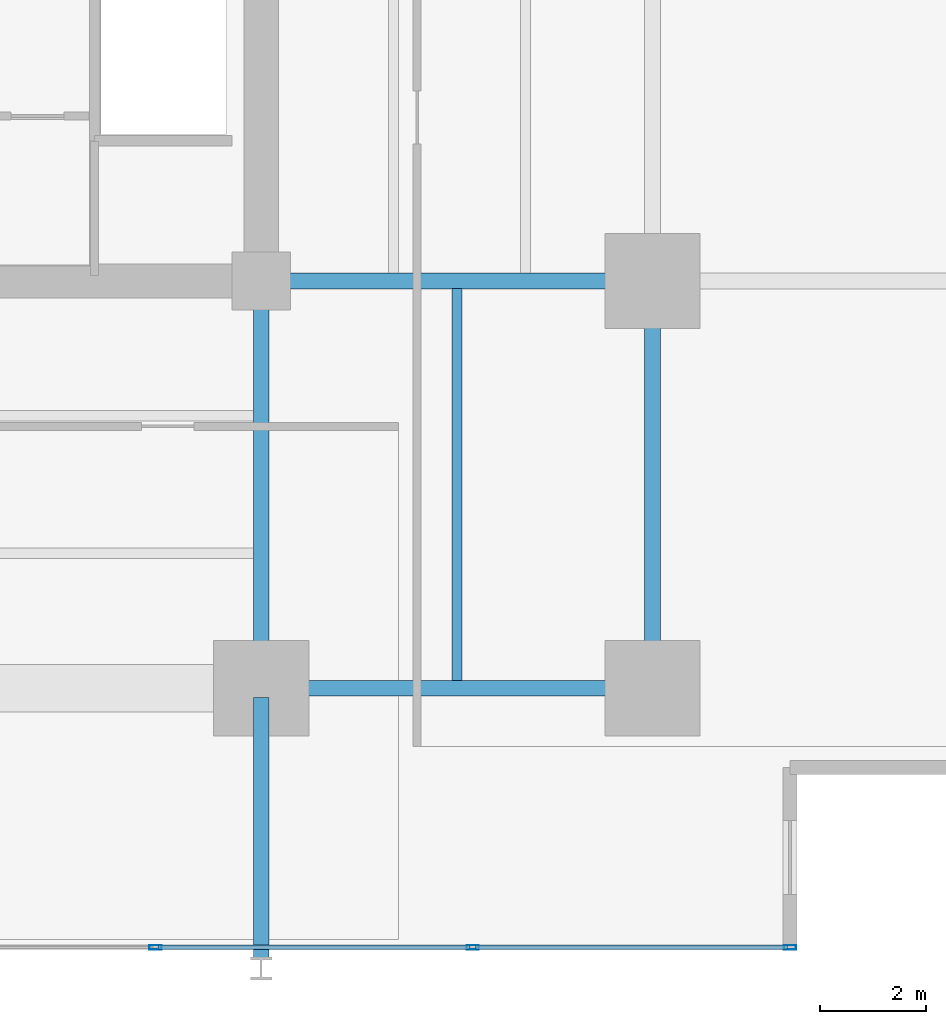
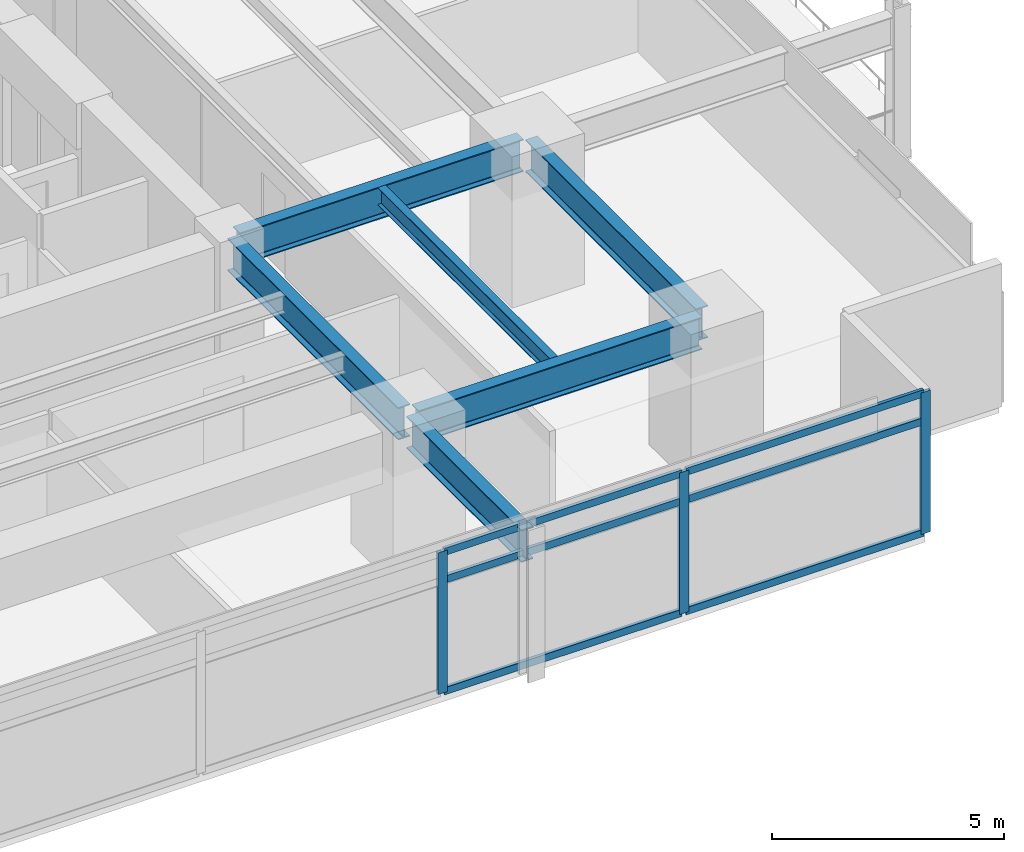
# One storey, part 6 of 21: 9 members, 6 beams, 1 element without a shape of its own.
"""IFC4 building model written with IfcOpenShell, lengths in metres."""

from ifc_helpers import new_model, si_unit, direction, frame, origin, origin_2d, place, context, subcontext, project, spatial, hollow_rectangle, i_section, extrude, material, material_profile, profile_set, type_object, element, aggregate, save


model = new_model("IFC4")

# Units and contexts
model_context = context("Model", 3, precision=1e-05, world=origin(), true_north=direction((0.0, 1.0)))
body_context = subcontext(model_context, "Body", "Model", "MODEL_VIEW")
ifc_project = project(units=[si_unit("LENGTHUNIT", "METRE"), si_unit("AREAUNIT", "SQUARE_METRE"), si_unit("VOLUMEUNIT", "CUBIC_METRE"), si_unit("PLANEANGLEUNIT", "RADIAN"), si_unit("MASSUNIT", "GRAM", prefix="KILO")], contexts=[model_context])

# Site, building, storey
site_placement = place(None, origin())
site = spatial("IfcSite", under=ifc_project, at=site_placement, CompositionType="ELEMENT")
building_placement = place(site_placement, origin())
building = spatial("IfcBuilding", under=site, at=building_placement, Name="Kovane Verandah Tower", CompositionType="ELEMENT")
storey_placement = place(building_placement, frame((0.0, 0.0, 27.60009765625)))
storey = spatial("IfcBuildingStorey", under=building, at=storey_placement, Name="L05", CompositionType="ELEMENT", Elevation=27.60009765625)

# Beams
ifc_material_1 = material(Name="Steel S355", Category="steel")
ifc_material_profile_1 = material_profile(ifc_material_1, i_section(OverallWidth=0.293701171875, OverallDepth=0.850830078125, WebThickness=0.01611328125, FlangeThickness=0.02685546875, FilletRadius=0.017822265625, at=origin_2d()), Name="UB838x292x226")
ifc_profile_set_1 = profile_set([ifc_material_profile_1], Name="Steel S355")
beam_type_1 = type_object("IfcBeamType", Name="BM-UB838x226", PredefinedType="BEAM", material=ifc_profile_set_1)
beam_1_placement = place(storey_placement, frame((51.179931640625, 10.800048828125, 3.33447265625), z_axis=(1.0, 0.0, 0.0), x_axis=(0.0, 1.0, 0.0)))
element("IfcBeam", 1, at=beam_1_placement, inside=storey, type_object=beam_type_1, Name="L05 Primary Tower Girder G-RS3", PredefinedType="BEAM", context=body_context, shape_type="SweptSolid", body=[
    extrude(i_section(OverallWidth=0.293701171875, OverallDepth=0.850830078125, WebThickness=0.01611328125, FlangeThickness=0.02685546875, FilletRadius=0.017822265625, at=origin_2d()), origin(), (0.0, 0.0, 1.0), 7.0400390625),
])
beam_2_placement = place(storey_placement, frame((58.39990234375, 10.97998046875, 3.33447265625), z_axis=(0.0, 1.0, 0.0), x_axis=(-1.0, 0.0, 0.0)))
element("IfcBeam", 2, at=beam_2_placement, inside=storey, type_object=beam_type_1, Name="L05 Primary Tower Girder G-RE1", PredefinedType="BEAM", context=body_context, shape_type="SweptSolid", body=[
    extrude(i_section(OverallWidth=0.293701171875, OverallDepth=0.850830078125, WebThickness=0.01611328125, FlangeThickness=0.02685546875, FilletRadius=0.017822265625, at=origin_2d()), origin(), (0.0, 0.0, 1.0), 7.340087890625),
])
beam_3_placement = place(storey_placement, frame((51.179931640625, 18.5, 3.33447265625), z_axis=(1.0, 0.0, 0.0), x_axis=(0.0, 1.0, 0.0)))
element("IfcBeam", 3, at=beam_3_placement, inside=storey, type_object=beam_type_1, Name="L05 Primary Tower Girder G-E1", PredefinedType="BEAM", context=body_context, shape_type="SweptSolid", body=[
    extrude(i_section(OverallWidth=0.293701171875, OverallDepth=0.850830078125, WebThickness=0.01611328125, FlangeThickness=0.02685546875, FilletRadius=0.017822265625, at=origin_2d()), origin(), (0.0, 0.0, 1.0), 7.0400390625),
])
beam_4_placement = place(storey_placement, frame((51.0, 18.320068359375, 3.33447265625), z_axis=(0.0, -1.0, 0.0), x_axis=(1.0, 0.0, 0.0)))
element("IfcBeam", 4, at=beam_4_placement, inside=storey, type_object=beam_type_1, Name="L05 Primary Tower Girder G-S2", PredefinedType="BEAM", context=body_context, shape_type="SweptSolid", body=[
    extrude(i_section(OverallWidth=0.293701171875, OverallDepth=0.850830078125, WebThickness=0.01611328125, FlangeThickness=0.02685546875, FilletRadius=0.017822265625, at=origin_2d()), origin(), (0.0, 0.0, 1.0), 7.340087890625),
])
beam_5_placement = place(storey_placement, frame((51.0, 10.6201171875, 3.33447265625), z_axis=(0.0, -1.0, 0.0), x_axis=(1.0, 0.0, 0.0)))
element("IfcBeam", 5, at=beam_5_placement, inside=storey, type_object=beam_type_1, Name="L05 Primary Tower Girder G-VS2", PredefinedType="BEAM", context=body_context, shape_type="SweptSolid", body=[
    extrude(i_section(OverallWidth=0.293701171875, OverallDepth=0.850830078125, WebThickness=0.01611328125, FlangeThickness=0.02685546875, FilletRadius=0.017822265625, at=origin_2d()), origin(), (0.0, 0.0, 1.0), 4.940185546875),
])

# Curtain wall, members
ifc_material_2 = material(Name="Champagne Anodised Aluminium Frame with Low-E Clear Laminated Glass", Category="aluminium")
curtain_wall_type = type_object("IfcCurtainWallType", Name="CW-SYS-02-LOW", PredefinedType="NOTDEFINED", material=ifc_material_2)
curtain_wall_placement = place(storey_placement, origin())
curtain_wall = element("IfcCurtainWall", 6, at=curtain_wall_placement, inside=storey, type_object=curtain_wall_type, Name="L05 S Unitised Curtain Wall", PredefinedType="NOTDEFINED")
ifc_material_3 = material(Name="Champagne Anodised Aluminium 6063-T6", Category="aluminium")
ifc_material_profile_2 = material_profile(ifc_material_3, hollow_rectangle(XDim=0.0849609375, YDim=0.22998046875, WallThickness=0.00390625, at=origin_2d()), Name="AL85x230x4")
ifc_profile_set_2 = profile_set([ifc_material_profile_2], Name="Champagne Anodised Aluminium 6063-T6")
member_type_1 = type_object("IfcMemberType", Name="CW-MUL-85x230", PredefinedType="MULLION", material=ifc_profile_set_2)
member_1_placement = place(storey_placement, frame((49.0, 5.89990234375, 0.02001953125), z_axis=(0.0, 0.0, 1.0), x_axis=(0.0, -1.0, 0.0)))
member_1 = element("IfcMember", 7, at=member_1_placement, type_object=member_type_1, Name="L05 S Unitised Curtain Wall Mullion 6", PredefinedType="MULLION", context=body_context, shape_type="SweptSolid", body=[
    extrude(hollow_rectangle(XDim=0.0849609375, YDim=0.22998046875, WallThickness=0.00390625, at=origin_2d()), origin(), (0.0, 0.0, 1.0), 3.719970703125),
])
member_2_placement = place(storey_placement, frame((55.0, 5.89990234375, 0.02001953125), z_axis=(0.0, 0.0, 1.0), x_axis=(0.0, -1.0, 0.0)))
member_2 = element("IfcMember", 8, at=member_2_placement, type_object=member_type_1, Name="L05 S Unitised Curtain Wall Mullion 7", PredefinedType="MULLION", context=body_context, shape_type="SweptSolid", body=[
    extrude(hollow_rectangle(XDim=0.0849609375, YDim=0.22998046875, WallThickness=0.00390625, at=origin_2d()), origin(), (0.0, 0.0, 1.0), 3.719970703125),
])
member_3_placement = place(storey_placement, frame((61.0, 5.89990234375, 0.02001953125), z_axis=(0.0, 0.0, 1.0), x_axis=(0.0, -1.0, 0.0)))
member_3 = element("IfcMember", 9, at=member_3_placement, type_object=member_type_1, Name="L05 S Unitised Curtain Wall Mullion 8", PredefinedType="MULLION", context=body_context, shape_type="SweptSolid", body=[
    extrude(hollow_rectangle(XDim=0.0849609375, YDim=0.22998046875, WallThickness=0.00390625, at=origin_2d()), origin(), (0.0, 0.0, 1.0), 3.719970703125),
])
ifc_material_profile_3 = material_profile(ifc_material_3, hollow_rectangle(XDim=0.0849609375, YDim=0.18994140625, WallThickness=0.00390625, at=origin_2d()), Name="AL85x190x4")
ifc_profile_set_3 = profile_set([ifc_material_profile_3], Name="Champagne Anodised Aluminium 6063-T6")
member_type_2 = type_object("IfcMemberType", Name="CW-TRN-85x190", PredefinedType="USERDEFINED", material=ifc_profile_set_3)
member_4_placement = place(storey_placement, frame((49.050048828125, 5.89990234375, 0.0498046875), z_axis=(1.0, 0.0, 0.0), x_axis=(0.0, 1.0, 0.0)))
member_4 = element("IfcMember", 10, at=member_4_placement, type_object=member_type_2, Name="L05 S Unitised Curtain Wall Transom TB Bay 6", ObjectType="TRANSOM", PredefinedType="USERDEFINED", context=body_context, shape_type="SweptSolid", body=[
    extrude(hollow_rectangle(XDim=0.0849609375, YDim=0.18994140625, WallThickness=0.00390625, at=origin_2d()), origin(), (0.0, 0.0, 1.0), 5.89990234375),
])
member_5_placement = place(storey_placement, frame((49.050048828125, 5.89990234375, 2.97998046875), z_axis=(1.0, 0.0, 0.0), x_axis=(0.0, 1.0, 0.0)))
member_5 = element("IfcMember", 11, at=member_5_placement, type_object=member_type_2, Name="L05 S Unitised Curtain Wall Transom TM Bay 6", ObjectType="TRANSOM", PredefinedType="USERDEFINED", context=body_context, shape_type="SweptSolid", body=[
    extrude(hollow_rectangle(XDim=0.0849609375, YDim=0.18994140625, WallThickness=0.00390625, at=origin_2d()), origin(), (0.0, 0.0, 1.0), 5.89990234375),
])
member_6_placement = place(storey_placement, frame((49.050048828125, 5.89990234375, 3.7099609375), z_axis=(1.0, 0.0, 0.0), x_axis=(0.0, 1.0, 0.0)))
member_6 = element("IfcMember", 12, at=member_6_placement, type_object=member_type_2, Name="L05 S Unitised Curtain Wall Transom TT Bay 6", ObjectType="TRANSOM", PredefinedType="USERDEFINED", context=body_context, shape_type="SweptSolid", body=[
    extrude(hollow_rectangle(XDim=0.0849609375, YDim=0.18994140625, WallThickness=0.00390625, at=origin_2d()), origin(), (0.0, 0.0, 1.0), 5.89990234375),
])
member_7_placement = place(storey_placement, frame((55.050048828125, 5.89990234375, 0.0498046875), z_axis=(1.0, 0.0, 0.0), x_axis=(0.0, 1.0, 0.0)))
member_7 = element("IfcMember", 13, at=member_7_placement, type_object=member_type_2, Name="L05 S Unitised Curtain Wall Transom TB Bay 7", ObjectType="TRANSOM", PredefinedType="USERDEFINED", context=body_context, shape_type="SweptSolid", body=[
    extrude(hollow_rectangle(XDim=0.0849609375, YDim=0.18994140625, WallThickness=0.00390625, at=origin_2d()), origin(), (0.0, 0.0, 1.0), 5.89990234375),
])
member_8_placement = place(storey_placement, frame((55.050048828125, 5.89990234375, 2.97998046875), z_axis=(1.0, 0.0, 0.0), x_axis=(0.0, 1.0, 0.0)))
member_8 = element("IfcMember", 14, at=member_8_placement, type_object=member_type_2, Name="L05 S Unitised Curtain Wall Transom TM Bay 7", ObjectType="TRANSOM", PredefinedType="USERDEFINED", context=body_context, shape_type="SweptSolid", body=[
    extrude(hollow_rectangle(XDim=0.0849609375, YDim=0.18994140625, WallThickness=0.00390625, at=origin_2d()), origin(), (0.0, 0.0, 1.0), 5.89990234375),
])
member_9_placement = place(storey_placement, frame((55.050048828125, 5.89990234375, 3.7099609375), z_axis=(1.0, 0.0, 0.0), x_axis=(0.0, 1.0, 0.0)))
member_9 = element("IfcMember", 15, at=member_9_placement, type_object=member_type_2, Name="L05 S Unitised Curtain Wall Transom TT Bay 7", ObjectType="TRANSOM", PredefinedType="USERDEFINED", context=body_context, shape_type="SweptSolid", body=[
    extrude(hollow_rectangle(XDim=0.0849609375, YDim=0.18994140625, WallThickness=0.00390625, at=origin_2d()), origin(), (0.0, 0.0, 1.0), 5.89990234375),
])
aggregate(curtain_wall, [member_1, member_2, member_3, member_4, member_5, member_6, member_7, member_8, member_9])

# Beam
ifc_material_profile_4 = material_profile(ifc_material_1, i_section(OverallWidth=0.19287109375, OverallDepth=0.46728515625, WebThickness=0.011474609375, FlangeThickness=0.01953125, FilletRadius=0.01025390625, at=origin_2d()), Name="UB457x191x98")
ifc_profile_set_4 = profile_set([ifc_material_profile_4], Name="Steel S355")
beam_type_2 = type_object("IfcBeamType", Name="JST-UB457x98", PredefinedType="JOIST", material=ifc_profile_set_4)
beam_6_placement = place(storey_placement, frame((54.699951171875, 10.94482421875, 3.5263671875), z_axis=(0.0, 1.0, 0.0), x_axis=(-1.0, 0.0, 0.0)))
element("IfcBeam", 16, at=beam_6_placement, inside=storey, type_object=beam_type_2, Name="L05 Secondary Composite Joist J-SE1", PredefinedType="JOIST", context=body_context, shape_type="SweptSolid", body=[
    extrude(i_section(OverallWidth=0.19287109375, OverallDepth=0.46728515625, WebThickness=0.011474609375, FlangeThickness=0.01953125, FilletRadius=0.01025390625, at=origin_2d()), origin(), (0.0, 0.0, 1.0), 7.41015625),
])

save(model, "model.ifc")
